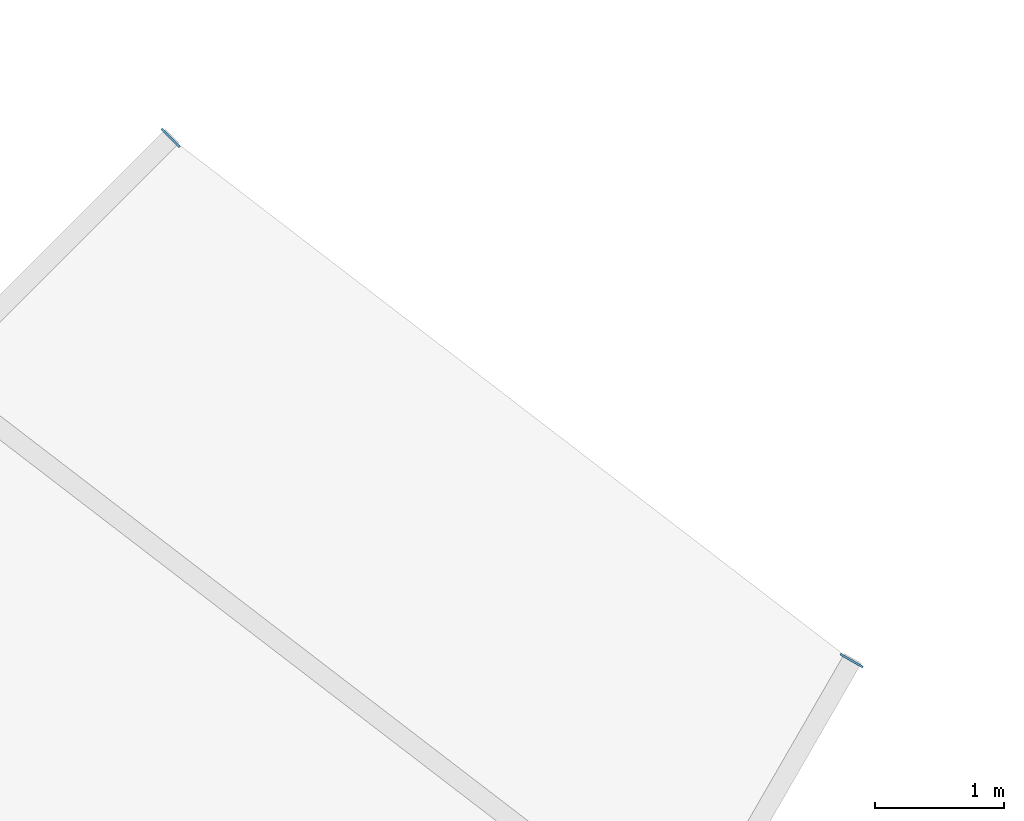
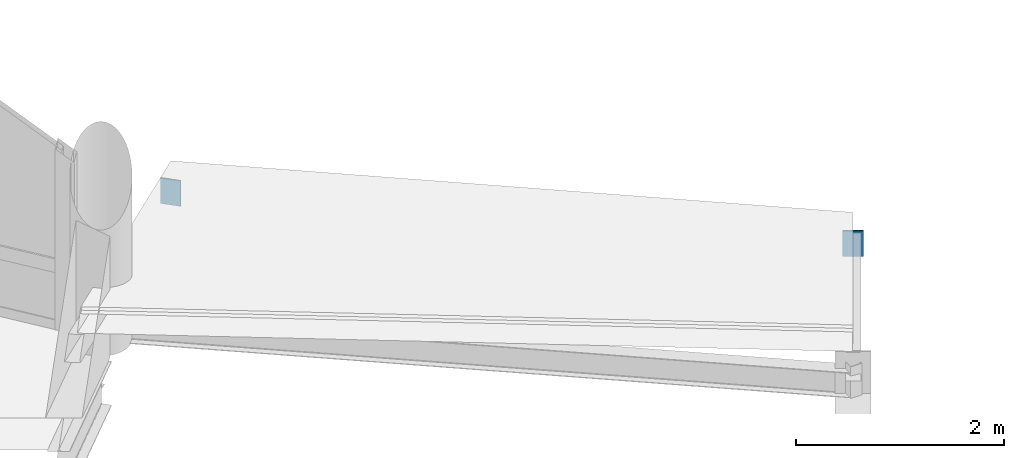
# One storey, part 151 of 200: 2 plates.
"""IFC4 building model written with IfcOpenShell, lengths in metres."""

from ifc_helpers import new_model, si_unit, direction, frame, origin, origin_2d, place, context, subcontext, project, spatial, rectangle, extrude, material, layer, layer_set, type_object, element, save


model = new_model("IFC4")

# Units and contexts
model_context = context("Model", 3, precision=1e-05, world=origin(), true_north=direction((0.0, 1.0)))
body_context = subcontext(model_context, "Body", "Model", "MODEL_VIEW")
ifc_project = project(units=[si_unit("LENGTHUNIT", "METRE"), si_unit("AREAUNIT", "SQUARE_METRE"), si_unit("VOLUMEUNIT", "CUBIC_METRE"), si_unit("PLANEANGLEUNIT", "RADIAN"), si_unit("MASSUNIT", "GRAM", prefix="KILO")], contexts=[model_context])

# Site, building, storey
site_placement = place(None, origin())
site = spatial("IfcSite", under=ifc_project, at=site_placement, CompositionType="ELEMENT")
building_placement = place(site_placement, origin())
building = spatial("IfcBuilding", under=site, at=building_placement, Name="Vondelvale Polytechnic", CompositionType="ELEMENT")
storey_placement = place(building_placement, frame((0.0, 0.0, 13.800048828125)))
storey = spatial("IfcBuildingStorey", under=building, at=storey_placement, Name="L03", CompositionType="ELEMENT", Elevation=13.800048828125)

# Plates
ifc_material = material(Name="Steel Grade 350 (fy = 340 MPa)", Category="steel")
ifc_layer = layer(ifc_material, 0.01611328125)
ifc_layer_set = layer_set([ifc_layer], Name="PLATE-CAP-300x200")
plate_type = type_object("IfcPlateType", Name="PLATE-CAP-300x200", PredefinedType="USERDEFINED", material=ifc_layer_set)
for number, where, z_axis, x_axis, name in (
    (1, (84.03955078125, 54.03955078125, -0.1845703125), (0.0, 0.0, 1.0), (0.707106781187, 0.707106781187, 0.0), "Ring rafter hollow end cap plate 15I"),
    (2, (89.300048828125, 50.0029296875, -0.1845703125), (0.0, 0.0, 1.0), (0.5, 0.866025403784, 0.0), "Ring step rafter end cap plate 15I"),
):
    element("IfcPlate", number, at=place(storey_placement, frame(where, z_axis=z_axis, x_axis=x_axis)), inside=storey, type_object=plate_type, Name=name, ObjectType="CAP_PLATE", PredefinedType="USERDEFINED", context=body_context, shape_type="SweptSolid", body=[
        extrude(rectangle(XDim=0.01611328125, YDim=0.199951171875, at=origin_2d()), origin(), (0.0, 0.0, 1.0), 0.300048828125),
    ])

save(model, "model.ifc")
